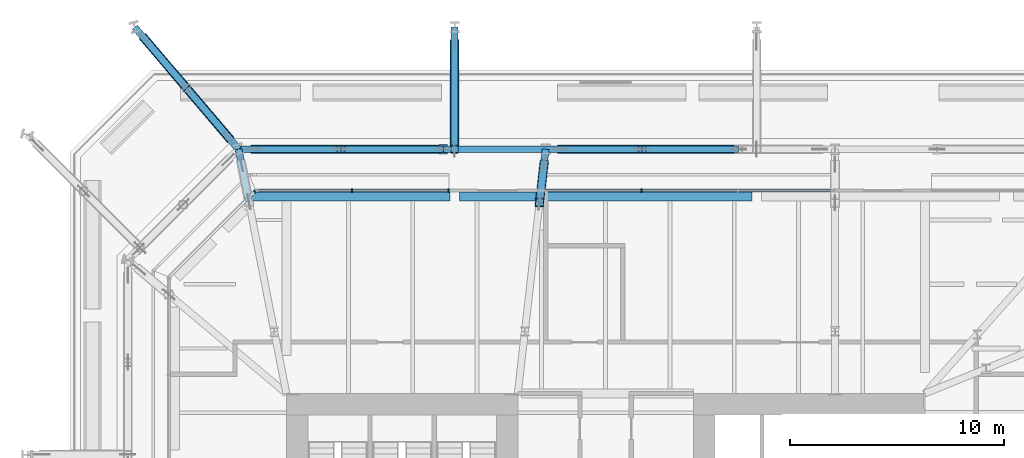
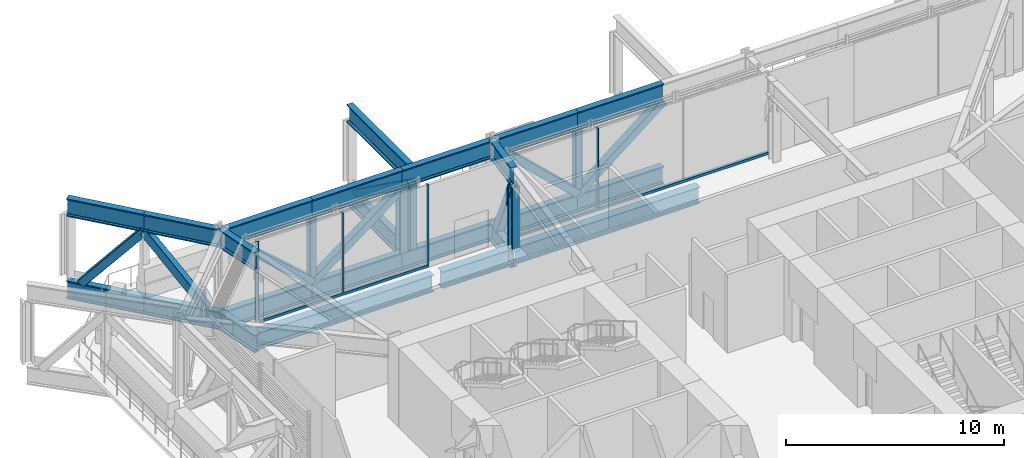
# One storey, part 13 of 29: 23 beams, 19 members, 2 elements without a shape of their own.
"""IFC4 building model written with IfcOpenShell, lengths in metres."""

from ifc_helpers import new_model, si_unit, direction, frame, origin, origin_2d, place, context, subcontext, project, spatial, rectangle, hollow_rectangle, i_section, extrude, material, layer, layer_set, material_profile, profile_set, type_object, element, aggregate, save


model = new_model("IFC4")

# Units and contexts
model_context = context("Model", 3, precision=1e-05, world=origin(), true_north=direction((0.0, 1.0)))
body_context = subcontext(model_context, "Body", "Model", "MODEL_VIEW")
ifc_project = project(units=[si_unit("LENGTHUNIT", "METRE"), si_unit("AREAUNIT", "SQUARE_METRE"), si_unit("VOLUMEUNIT", "CUBIC_METRE"), si_unit("PLANEANGLEUNIT", "RADIAN"), si_unit("MASSUNIT", "GRAM", prefix="KILO")], contexts=[model_context])

# Site, building, storey
site_placement = place(None, origin())
site = spatial("IfcSite", under=ifc_project, at=site_placement, CompositionType="ELEMENT")
building_placement = place(site_placement, origin())
building = spatial("IfcBuilding", under=site, at=building_placement, Name="Millrace Tower", CompositionType="ELEMENT")
storey_placement = place(building_placement, frame((0.0, 0.0, 68.60009765625)))
storey = spatial("IfcBuildingStorey", under=building, at=storey_placement, Name="L15", CompositionType="ELEMENT", Elevation=68.60009765625)

# Curtain wall, members
ifc_material_1 = material(Name="Aluminium and glass", Category="aluminium")
ifc_layer = layer(ifc_material_1, 0.14990234375)
ifc_layer_set = layer_set([ifc_layer], Name="Aluminium and glass")
curtain_wall_type = type_object("IfcCurtainWallType", Name="CW-5 truss and plant storey louvred infill", PredefinedType="NOTDEFINED", material=ifc_layer_set)
placement = place(storey_placement, origin())
curtain_wall_1 = element("IfcCurtainWall", 1, at=placement, inside=storey, type_object=curtain_wall_type, Name="Curtain wall B-F06 L15", PredefinedType="NOTDEFINED")
ifc_material_2 = material(Name="Aluminium", Category="aluminium")
ifc_material_profile_1 = material_profile(ifc_material_2, rectangle(XDim=0.06494140625, YDim=0.14990234375, at=origin_2d()))
ifc_profile_set_1 = profile_set([ifc_material_profile_1], Name="Aluminium")
member_type_1 = type_object("IfcMemberType", Name="CW-5 truss and plant storey louvred infill mullion", PredefinedType="MULLION", material=ifc_profile_set_1)
member_1_placement = place(storey_placement, frame((1.66748046875, 19.375, 0.139892578125), z_axis=(0.0, 0.0, 1.0), x_axis=(-1.0, 0.0, 0.0)))
member_1 = element("IfcMember", 2, at=member_1_placement, type_object=member_type_1, Name="CW5 mullion B-F06.6", PredefinedType="MULLION", context=body_context, shape_type="SweptSolid", body=[
    extrude(rectangle(XDim=0.06494140625, YDim=0.14990234375, at=origin_2d()), origin(), (0.0, 0.0, 1.0), 4.4599609375),
])
member_2_placement = place(storey_placement, frame((-7.33251953125, 19.375, 0.139892578125), z_axis=(0.0, 0.0, 1.0), x_axis=(-1.0, 0.0, 0.0)))
member_2 = element("IfcMember", 3, at=member_2_placement, type_object=member_type_1, Name="CW5 mullion B-F06.8", PredefinedType="MULLION", context=body_context, shape_type="SweptSolid", body=[
    extrude(rectangle(XDim=0.06494140625, YDim=0.14990234375, at=origin_2d()), origin(), (0.0, 0.0, 1.0), 4.4599609375),
])
member_3_placement = place(storey_placement, frame((-11.83251953125, 19.375, 0.139892578125), z_axis=(0.0, 0.0, 1.0), x_axis=(-1.0, 0.0, 0.0)))
member_3 = element("IfcMember", 4, at=member_3_placement, type_object=member_type_1, Name="CW5 mullion B-F06.9", PredefinedType="MULLION", context=body_context, shape_type="SweptSolid", body=[
    extrude(rectangle(XDim=0.06494140625, YDim=0.14990234375, at=origin_2d()), origin(), (0.0, 0.0, 1.0), 4.4599609375),
])

# Curtain wall, member
curtain_wall_2 = element("IfcCurtainWall", 5, at=placement, inside=storey, type_object=curtain_wall_type, Name="Curtain wall B-F07 L15", PredefinedType="NOTDEFINED")
member_4_placement = place(storey_placement, frame((-16.3759765625, 19.330078125, 0.139892578125), z_axis=(0.0, 0.0, 1.0), x_axis=(-0.707106781187, -0.707106781187, 0.0)))
member_4 = element("IfcMember", 6, at=member_4_placement, type_object=member_type_1, Name="CW5 mullion B-F07.1", PredefinedType="MULLION", context=body_context, shape_type="SweptSolid", body=[
    extrude(rectangle(XDim=0.06494140625, YDim=0.14990234375, at=origin_2d()), origin(), (0.0, 0.0, 1.0), 4.4599609375),
])
aggregate(curtain_wall_2, [member_4])

# Member
ifc_material_3 = material(Name="Aluminium", Category="aluminium")
ifc_material_profile_2 = material_profile(ifc_material_3, rectangle(XDim=0.14990234375, YDim=0.139892578125, at=origin_2d()))
ifc_profile_set_2 = profile_set([ifc_material_profile_2], Name="Aluminium")
member_type_2 = type_object("IfcMemberType", Name="CW-5 truss and plant storey louvred infill transom", PredefinedType="USERDEFINED", material=ifc_profile_set_2)
member_5_placement = place(storey_placement, frame((10.699951171875, 19.375, 0.06982421875), z_axis=(-1.0, 0.0, 0.0), x_axis=(0.0, -1.0, 0.0)))
member_5 = element("IfcMember", 7, at=member_5_placement, type_object=member_type_2, Name="CW5 transom B-F06.2", ObjectType="TRANSOM", PredefinedType="USERDEFINED", context=body_context, shape_type="SweptSolid", body=[
    extrude(rectangle(XDim=0.14990234375, YDim=0.139892578125, at=origin_2d()), origin(), (0.0, 0.0, 1.0), 13.5),
])

member_6_placement = place(storey_placement, frame((-7.300048828125, 19.375, 0.06982421875), z_axis=(-1.0, 0.0, 0.0), x_axis=(0.0, -1.0, 0.0)))
member_6 = element("IfcMember", 8, at=member_6_placement, type_object=member_type_2, Name="CW5 transom B-F06.3", ObjectType="TRANSOM", PredefinedType="USERDEFINED", context=body_context, shape_type="SweptSolid", body=[
    extrude(rectangle(XDim=0.14990234375, YDim=0.139892578125, at=origin_2d()), origin(), (0.0, 0.0, 1.0), 8.89990234375),
])

aggregate(curtain_wall_1, [member_1, member_2, member_3, member_5, member_6])

# Beams
ifc_material_4 = material(Name="Steel ASTM A992 Grade 50", Category="steel")
ifc_material_profile_3 = material_profile(ifc_material_4, i_section(OverallWidth=0.419189453125, OverallDepth=0.927001953125, WebThickness=0.019287109375, FlangeThickness=0.031982421875, FilletRadius=0.024169921875, at=origin_2d()))
ifc_profile_set_3 = profile_set([ifc_material_profile_3], Name="Steel ASTM A992 Grade 50")
beam_type_1 = type_object("IfcBeamType", Name="Ring beam short span W36x231", PredefinedType="SPANDREL", material=ifc_profile_set_3)
beam_1_placement = place(storey_placement, frame((-2.864013671875, 19.09033203125, -0.66357421875), z_axis=(1.0, 0.0, 0.0), x_axis=(0.0, 1.0, 0.0)))
element("IfcBeam", 9, at=beam_1_placement, inside=storey, type_object=beam_type_1, Name="RNG-B-L15-S1-06-a", PredefinedType="SPANDREL", context=body_context, shape_type="SweptSolid", body=[
    extrude(i_section(OverallWidth=0.419189453125, OverallDepth=0.927001953125, WebThickness=0.019287109375, FlangeThickness=0.031982421875, FilletRadius=0.024169921875, at=origin_2d()), origin(), (0.0, 0.0, 1.0), 9.694091796875),
])
beam_2_placement = place(storey_placement, frame((-16.4892578125, 19.09033203125, -0.66357421875), z_axis=(1.0, 0.0, 0.0), x_axis=(0.0, 1.0, 0.0)))
element("IfcBeam", 10, at=beam_2_placement, inside=storey, type_object=beam_type_1, Name="RNG-B-L15-S1-05-a", PredefinedType="SPANDREL", context=body_context, shape_type="SweptSolid", body=[
    extrude(i_section(OverallWidth=0.419189453125, OverallDepth=0.927001953125, WebThickness=0.019287109375, FlangeThickness=0.031982421875, FilletRadius=0.024169921875, at=origin_2d()), origin(), (0.0, 0.0, 1.0), 9.21923828125),
])
beam_3_placement = place(storey_placement, frame((-6.830078125, 19.09033203125, -0.66357421875), z_axis=(1.0, 0.0, 0.0), x_axis=(0.0, 1.0, 0.0)))
element("IfcBeam", 11, at=beam_3_placement, inside=storey, type_object=beam_type_1, Name="RNG-B-L15-S1-05-b", PredefinedType="SPANDREL", context=body_context, shape_type="SweptSolid", body=[
    extrude(i_section(OverallWidth=0.419189453125, OverallDepth=0.927001953125, WebThickness=0.019287109375, FlangeThickness=0.031982421875, FilletRadius=0.024169921875, at=origin_2d()), origin(), (0.0, 0.0, 1.0), 3.61181640625),
])

# Members
ifc_material_5 = material(Name="Steel ASTM A992 Grade 50", Category="steel")
ifc_material_profile_4 = material_profile(ifc_material_5, i_section(OverallWidth=0.411376953125, OverallDepth=0.434326171875, WebThickness=0.035888671875, FlangeThickness=0.057373046875, FilletRadius=0.01513671875, at=origin_2d()))
ifc_profile_set_4 = profile_set([ifc_material_profile_4], Name="Steel ASTM A992 Grade 50")
member_type_3 = type_object("IfcMemberType", Name="Transfer truss Vierendeel moment post W14x311", PredefinedType="POST", material=ifc_profile_set_4)
for number, where, z_axis, x_axis, name in (
    (12, (-7.576171875, 21.300048828125, -0.2001953125), (0.0, 0.0, 1.0), (1.0, 0.0, 0.0), "TRS-L15-R12-V01"),
    (13, (-3.083251953125, 18.816162109375, -0.2001953125), (0.0, 0.0, 1.0), (1.0, 0.0, 0.0), "TRS-L15-C12-V01"),
):
    element("IfcMember", number, at=place(storey_placement, frame(where, z_axis=z_axis, x_axis=x_axis)), inside=storey, type_object=member_type_3, Name=name, PredefinedType="POST", context=body_context, shape_type="SweptSolid", body=[
        extrude(i_section(OverallWidth=0.411376953125, OverallDepth=0.434326171875, WebThickness=0.035888671875, FlangeThickness=0.057373046875, FilletRadius=0.01513671875, at=origin_2d()), origin(), (0.0, 0.0, 1.0), 3.60693359375),
    ])

# Beams
ifc_material_6 = material(Name="Steel ASTM A992 Grade 50", Category="steel")
ifc_material_profile_5 = material_profile(ifc_material_6, i_section(OverallWidth=0.322509765625, OverallDepth=0.9931640625, WebThickness=0.0361328125, FlangeThickness=0.06494140625, FilletRadius=0.01904296875, at=origin_2d()))
ifc_profile_set_5 = profile_set([ifc_material_profile_5], Name="Steel ASTM A992 Grade 50")
beam_type_2 = type_object("IfcBeamType", Name="Transfer truss chord W36x387", PredefinedType="BEAM", material=ifc_profile_set_5)
for number, where, z_axis, x_axis, name in (
    (14, (6.199951171875, 21.300048828125, -0.69677734375), (-1.0, 0.0, 0.0), (0.0, -1.0, 0.0), "TRS-L15-R11-B02"),
    (15, (6.199951171875, 21.300048828125, 3.9033203125), (-1.0, 0.0, 0.0), (0.0, -1.0, 0.0), "TRS-L15-R11-T02"),
    (16, (1.699951171875, 21.300048828125, -0.69677734375), (-1.0, 0.0, 0.0), (0.0, -1.0, 0.0), "TRS-L15-R11-B03"),
    (17, (1.699951171875, 21.300048828125, 3.9033203125), (-1.0, 0.0, 0.0), (0.0, -1.0, 0.0), "TRS-L15-R11-T03"),
):
    element("IfcBeam", number, at=place(storey_placement, frame(where, z_axis=z_axis, x_axis=x_axis)), inside=storey, type_object=beam_type_2, Name=name, PredefinedType="BEAM", context=body_context, shape_type="SweptSolid", body=[
        extrude(i_section(OverallWidth=0.322509765625, OverallDepth=0.9931640625, WebThickness=0.0361328125, FlangeThickness=0.06494140625, FilletRadius=0.01904296875, at=origin_2d()), origin(), (0.0, 0.0, 1.0), 4.5),
    ])
for number, where, z_axis, x_axis, name in (
    (18, (-2.800048828125, 21.300048828125, -0.69677734375), (-1.0, 0.0, 0.0), (0.0, -1.0, 0.0), "TRS-L15-R12-B01"),
    (19, (-2.800048828125, 21.300048828125, 3.9033203125), (-1.0, 0.0, 0.0), (0.0, -1.0, 0.0), "TRS-L15-R12-T01"),
    (20, (-7.576171875, 21.300048828125, -0.69677734375), (-1.0, 0.0, 0.0), (0.0, -1.0, 0.0), "TRS-L15-R12-B02"),
    (21, (-7.576171875, 21.300048828125, 3.9033203125), (-1.0, 0.0, 0.0), (0.0, -1.0, 0.0), "TRS-L15-R12-T02"),
    (22, (-12.352294921875, 21.300048828125, -0.69677734375), (-1.0, 0.0, 0.0), (0.0, -1.0, 0.0), "TRS-L15-R12-B03"),
    (23, (-12.352294921875, 21.300048828125, 3.9033203125), (-1.0, 0.0, 0.0), (0.0, -1.0, 0.0), "TRS-L15-R12-T03"),
):
    element("IfcBeam", number, at=place(storey_placement, frame(where, z_axis=z_axis, x_axis=x_axis)), inside=storey, type_object=beam_type_2, Name=name, PredefinedType="BEAM", context=body_context, shape_type="SweptSolid", body=[
        extrude(i_section(OverallWidth=0.322509765625, OverallDepth=0.9931640625, WebThickness=0.0361328125, FlangeThickness=0.06494140625, FilletRadius=0.01904296875, at=origin_2d()), origin(), (0.0, 0.0, 1.0), 4.776123046875),
    ])
for number, where, z_axis, x_axis, name in (
    (24, (-2.800048828125, 21.300048828125, -0.69677734375), (-0.11328218126, -0.993562855289, 0.0), (0.993562855289, -0.11328218126, 0.0), "TRS-L15-C12-B01"),
    (25, (-2.800048828125, 21.300048828125, 3.9033203125), (-0.11328218126, -0.993562855289, 0.0), (0.993562855289, -0.11328218126, 0.0), "TRS-L15-C12-T01"),
    (26, (-17.12841796875, 21.300048828125, -0.69677734375), (0.19179486666, -0.98143503561, 0.0), (0.98143503561, 0.19179486666, 0.0), "TRS-L15-C13-B01"),
    (27, (-17.12841796875, 21.300048828125, 3.9033203125), (0.19179486666, -0.98143503561, 0.0), (0.98143503561, 0.19179486666, 0.0), "TRS-L15-C13-T01"),
):
    element("IfcBeam", number, at=place(storey_placement, frame(where, z_axis=z_axis, x_axis=x_axis)), inside=storey, type_object=beam_type_2, Name=name, PredefinedType="BEAM", context=body_context, shape_type="SweptSolid", body=[
        extrude(i_section(OverallWidth=0.322509765625, OverallDepth=0.9931640625, WebThickness=0.0361328125, FlangeThickness=0.06494140625, FilletRadius=0.01904296875, at=origin_2d()), origin(), (0.0, 0.0, 1.0), 2.5),
    ])
for number, where, z_axis, x_axis, name in (
    (28, (-7.050048828125, 27.0, -0.69677734375), (0.0, -1.0, 0.0), (1.0, 0.0, 0.0), "TRS-L15-B-A-X12-B01"),
    (29, (-7.050048828125, 27.0, 3.9033203125), (0.0, -1.0, 0.0), (1.0, 0.0, 0.0), "TRS-L15-B-A-X12-T01"),
):
    element("IfcBeam", number, at=place(storey_placement, frame(where, z_axis=z_axis, x_axis=x_axis)), inside=storey, type_object=beam_type_2, Name=name, PredefinedType="BEAM", context=body_context, shape_type="SweptSolid", body=[
        extrude(i_section(OverallWidth=0.322509765625, OverallDepth=0.9931640625, WebThickness=0.0361328125, FlangeThickness=0.06494140625, FilletRadius=0.01904296875, at=origin_2d()), origin(), (0.0, 0.0, 1.0), 5.538818359375),
    ])
for number, where, z_axis, x_axis, name in (
    (30, (-21.978515625, 27.0, -0.69677734375), (0.648030878959, -0.761614062315, 0.0), (0.761614062315, 0.648030878959, 0.0), "TRS-L15-B-A-X13-B01"),
    (31, (-21.978515625, 27.0, 3.9033203125), (0.648030878959, -0.761614062315, 0.0), (0.761614062315, 0.648030878959, 0.0), "TRS-L15-B-A-X13-T01"),
):
    element("IfcBeam", number, at=place(storey_placement, frame(where, z_axis=z_axis, x_axis=x_axis)), inside=storey, type_object=beam_type_2, Name=name, PredefinedType="BEAM", context=body_context, shape_type="SweptSolid", body=[
        extrude(i_section(OverallWidth=0.322509765625, OverallDepth=0.9931640625, WebThickness=0.0361328125, FlangeThickness=0.06494140625, FilletRadius=0.01904296875, at=origin_2d()), origin(), (0.0, 0.0, 1.0), 3.7421875),
    ])
for number, where, z_axis, x_axis, name in (
    (32, (-19.553466796875, 24.14990234375, -0.69677734375), (0.648063079242, -0.761586663042, 0.0), (0.761586663042, 0.648063079242, 0.0), "TRS-L15-B-A-X13-B02"),
    (33, (-19.553466796875, 24.14990234375, 3.9033203125), (0.648063079242, -0.761586663042, 0.0), (0.761586663042, 0.648063079242, 0.0), "TRS-L15-B-A-X13-T02"),
):
    element("IfcBeam", number, at=place(storey_placement, frame(where, z_axis=z_axis, x_axis=x_axis)), inside=storey, type_object=beam_type_2, Name=name, PredefinedType="BEAM", context=body_context, shape_type="SweptSolid", body=[
        extrude(i_section(OverallWidth=0.322509765625, OverallDepth=0.9931640625, WebThickness=0.0361328125, FlangeThickness=0.06494140625, FilletRadius=0.01904296875, at=origin_2d()), origin(), (0.0, 0.0, 1.0), 3.741943359375),
    ])

# Members
ifc_material_7 = material(Name="Steel ASTM A500 Grade C", Category="steel")
ifc_material_profile_6 = material_profile(ifc_material_7, hollow_rectangle(XDim=0.406494140625, YDim=0.406494140625, WallThickness=0.015869140625, InnerFilletRadius=0.008056640625, OuterFilletRadius=0.02392578125, at=origin_2d()))
ifc_profile_set_6 = profile_set([ifc_material_profile_6], Name="Steel ASTM A500 Grade C")
member_type_4 = type_object("IfcMemberType", Name="Transfer truss diagonal HSS16x16x5/8", PredefinedType="BRACE", material=ifc_profile_set_6)
member_7_placement = place(storey_placement, frame((1.699951171875, 21.300048828125, -0.2001953125), z_axis=(0.780281998298, 0.0, 0.625427856057), x_axis=(0.0, 1.0, 0.0)))
element("IfcMember", 34, at=member_7_placement, inside=storey, type_object=member_type_4, Name="TRS-L15-R11-D02", PredefinedType="BRACE", context=body_context, shape_type="SweptSolid", body=[
    extrude(hollow_rectangle(XDim=0.406494140625, YDim=0.406494140625, WallThickness=0.015869140625, InnerFilletRadius=0.008056640625, OuterFilletRadius=0.02392578125, at=origin_2d()), origin(), (0.0, 0.0, 1.0), 5.76708984375),
])
member_8_placement = place(storey_placement, frame((1.699951171875, 21.300048828125, -0.2001953125), z_axis=(-0.72529603748, 0.0, 0.688437112607), x_axis=(0.0, -1.0, 0.0)))
element("IfcMember", 35, at=member_8_placement, inside=storey, type_object=member_type_4, Name="TRS-L15-R11-D03", PredefinedType="BRACE", context=body_context, shape_type="SweptSolid", body=[
    extrude(hollow_rectangle(XDim=0.406494140625, YDim=0.406494140625, WallThickness=0.015869140625, InnerFilletRadius=0.008056640625, OuterFilletRadius=0.02392578125, at=origin_2d()), origin(), (0.0, 0.0, 1.0), 5.2392578125),
])
member_9_placement = place(storey_placement, frame((-12.352294921875, 21.300048828125, -0.2001953125), z_axis=(0.798003334985, 0.0, 0.60265303231), x_axis=(0.0, 1.0, 0.0)))
element("IfcMember", 36, at=member_9_placement, inside=storey, type_object=member_type_4, Name="TRS-L15-R12-D02", PredefinedType="BRACE", context=body_context, shape_type="SweptSolid", body=[
    extrude(hollow_rectangle(XDim=0.406494140625, YDim=0.406494140625, WallThickness=0.015869140625, InnerFilletRadius=0.008056640625, OuterFilletRadius=0.02392578125, at=origin_2d()), origin(), (0.0, 0.0, 1.0), 5.985107421875),
])
member_10_placement = place(storey_placement, frame((-12.352294921875, 21.300048828125, -0.2001953125), z_axis=(-0.748897240511, 0.0, 0.662686142268), x_axis=(0.0, -1.0, 0.0)))
element("IfcMember", 37, at=member_10_placement, inside=storey, type_object=member_type_4, Name="TRS-L15-R12-D03", PredefinedType="BRACE", context=body_context, shape_type="SweptSolid", body=[
    extrude(hollow_rectangle(XDim=0.406494140625, YDim=0.406494140625, WallThickness=0.015869140625, InnerFilletRadius=0.008056640625, OuterFilletRadius=0.02392578125, at=origin_2d()), origin(), (0.0, 0.0, 1.0), 5.44287109375),
])
member_11_placement = place(storey_placement, frame((-2.87939453125, 20.6044921875, -0.2001953125), z_axis=(-0.050571343523, -0.443634839889, 0.894779675703), x_axis=(0.993565420995, -0.113259675977, 0.0)))
element("IfcMember", 38, at=member_11_placement, inside=storey, type_object=member_type_4, Name="TRS-L15-C12-D01", PredefinedType="BRACE", context=body_context, shape_type="SweptSolid", body=[
    extrude(hollow_rectangle(XDim=0.406494140625, YDim=0.406494140625, WallThickness=0.015869140625, InnerFilletRadius=0.008056640625, OuterFilletRadius=0.02392578125, at=origin_2d()), origin(), (0.0, 0.0, 1.0), 4.031005859375),
])
member_12_placement = place(storey_placement, frame((-7.050048828125, 26.300048828125, -0.2001953125), z_axis=(0.0, -0.811000722678, 0.585045150237), x_axis=(1.0, 0.0, 0.0)))
element("IfcMember", 39, at=member_12_placement, inside=storey, type_object=member_type_4, Name="TRS-L15-B-A-X12-D01", PredefinedType="BRACE", context=body_context, shape_type="SweptSolid", body=[
    extrude(hollow_rectangle(XDim=0.406494140625, YDim=0.406494140625, WallThickness=0.015869140625, InnerFilletRadius=0.008056640625, OuterFilletRadius=0.02392578125, at=origin_2d()), origin(), (0.0, 0.0, 1.0), 6.165283203125),
])
for number, where, z_axis, x_axis, name in (
    (40, (-21.52490234375, 26.466796875, -0.2001953125), (0.417807116886, -0.491020376378, 0.764418866238), (0.761602594138, 0.648044356972, 0.0), "TRS-L15-B-A-X13-D01"),
    (41, (-17.58203125, 21.8330078125, -0.2001953125), (-0.417807116886, 0.491020376378, 0.764418866238), (-0.761602594138, -0.648044356972, 0.0), "TRS-L15-B-A-X13-D02"),
):
    element("IfcMember", number, at=place(storey_placement, frame(where, z_axis=z_axis, x_axis=x_axis)), inside=storey, type_object=member_type_4, Name=name, PredefinedType="BRACE", context=body_context, shape_type="SweptSolid", body=[
        extrude(hollow_rectangle(XDim=0.406494140625, YDim=0.406494140625, WallThickness=0.015869140625, InnerFilletRadius=0.008056640625, OuterFilletRadius=0.02392578125, at=origin_2d()), origin(), (0.0, 0.0, 1.0), 4.718505859375),
    ])
ifc_material_8 = material(Name="Steel ASTM A500 Grade C", Category="steel")
ifc_material_profile_7 = material_profile(ifc_material_8, hollow_rectangle(XDim=0.355712890625, YDim=0.355712890625, WallThickness=0.015869140625, InnerFilletRadius=0.008056640625, OuterFilletRadius=0.02392578125, at=origin_2d()))
ifc_profile_set_7 = profile_set([ifc_material_profile_7], Name="Steel ASTM A500 Grade C")
member_type_5 = type_object("IfcMemberType", Name="Transfer truss post HSS14x14x5/8", PredefinedType="POST", material=ifc_profile_set_7)
for number, where, z_axis, x_axis, name in (
    (42, (1.699951171875, 21.300048828125, -0.2001953125), (0.0, 0.0, 1.0), (1.0, 0.0, 0.0), "TRS-L15-R11-V02"),
    (43, (-12.352294921875, 21.300048828125, -0.2001953125), (0.0, 0.0, 1.0), (1.0, 0.0, 0.0), "TRS-L15-R12-V02"),
    (44, (-7.050048828125, 21.300048828125, -0.2001953125), (0.0, 0.0, 1.0), (1.0, 0.0, 0.0), "TRS-L15-B-A-X12-V01"),
):
    element("IfcMember", number, at=place(storey_placement, frame(where, z_axis=z_axis, x_axis=x_axis)), inside=storey, type_object=member_type_5, Name=name, PredefinedType="POST", context=body_context, shape_type="SweptSolid", body=[
        extrude(hollow_rectangle(XDim=0.355712890625, YDim=0.355712890625, WallThickness=0.015869140625, InnerFilletRadius=0.008056640625, OuterFilletRadius=0.02392578125, at=origin_2d()), origin(), (0.0, 0.0, 1.0), 3.60693359375),
    ])

save(model, "model.ifc")
